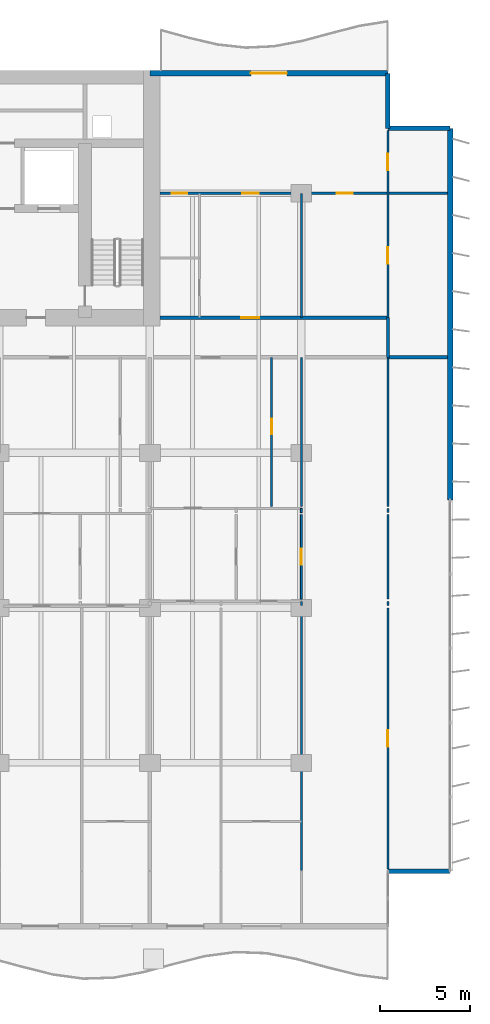
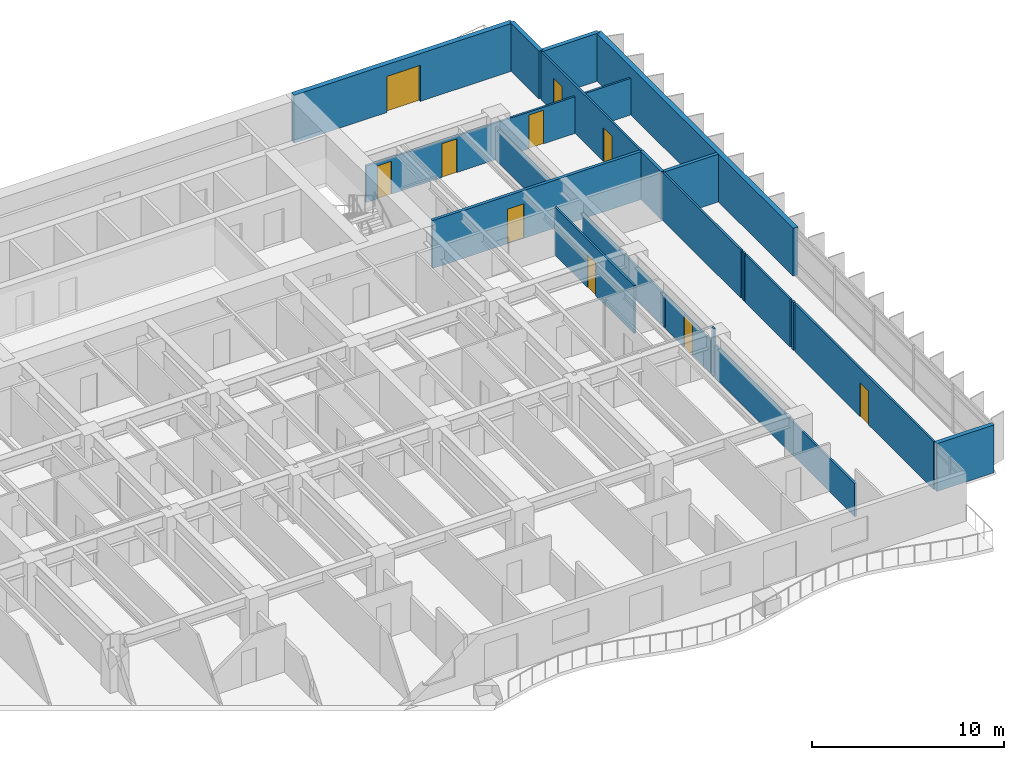
# One storey, part 13 of 18: 22 walls, 10 doors, 10 openings.
"""IFC4 building model written with IfcOpenShell, lengths in metres."""

import ifcopenshell
import ifcopenshell.guid

model = None  # the IFC model being written
_history = None  # IfcOwnerHistory: only IFC2X3 demands one
_inside = {}  # id of a spatial element -> (the spatial element, [elements in it])
_under = {}  # id of a project, library or spatial element -> (it, [spatial elements below it])
_declared = {}  # id of a project -> (the project, [libraries it declares])
_typed = {}  # id of a type object -> (the type object, [elements of that type])
_made_of = {}  # id of a material, layer set ... -> (it, [elements and type objects made of it])


def new_model(schema):
    """Start an empty IFC model of exactly this schema.

    Asked for "IFC4X3", IfcOpenShell would pick the latest addendum, in which some entities
    have other attributes; the version numbers below select the first issue.
    IFC2X3 requires an IfcOwnerHistory on every rooted entity: one is made here for all.
    """
    global model, _history
    if schema == "IFC4X3":
        model = ifcopenshell.file(schema_version=(4, 3, 0, 0))
    else:
        model = ifcopenshell.file(schema=schema)
    _inside.clear()
    _under.clear()
    _declared.clear()
    _typed.clear()
    _made_of.clear()
    _history = None
    if model.schema == "IFC2X3":
        org = make("IfcOrganization", Name="unknown")
        user = make(
            "IfcPersonAndOrganization",
            ThePerson=make("IfcPerson", FamilyName="unknown"),
            TheOrganization=org,
        )
        app = make(
            "IfcApplication",
            ApplicationDeveloper=org,
            Version="unknown",
            ApplicationFullName="unknown",
            ApplicationIdentifier="unknown",
        )
        _history = make(
            "IfcOwnerHistory",
            OwningUser=user,
            OwningApplication=app,
            ChangeAction="ADDED",
            CreationDate=0,
        )
    return model


def make(cls, **values):
    """One entity of the class cls with the attributes given. An attribute that is None is left unset."""
    return model.create_entity(
        cls, **{name: value for name, value in values.items() if value is not None}
    )


def rooted(cls, **values):
    """An entity with a GlobalId (a new one), such as an element, a storey or a relation."""
    return make(cls, GlobalId=ifcopenshell.guid.new(), OwnerHistory=_history, **values)


def si_unit(unit_type, name, prefix=None):
    """IfcSIUnit, for example si_unit("LENGTHUNIT", "METRE", prefix="MILLI")."""
    return make("IfcSIUnit", UnitType=unit_type, Prefix=prefix, Name=name)


def assignment(units):
    """IfcUnitAssignment: the units of a project."""
    return None if units is None else make("IfcUnitAssignment", Units=units)


def point(xyz):
    """IfcCartesianPoint."""
    return None if xyz is None else make("IfcCartesianPoint", Coordinates=xyz)


def direction(xyz):
    """IfcDirection."""
    return None if xyz is None else make("IfcDirection", DirectionRatios=xyz)


def frame(location, z_axis=None, x_axis=None):
    """IfcAxis2Placement3D, a coordinate frame: its origin and axes. An axis left out is left unset."""
    return make(
        "IfcAxis2Placement3D",
        Location=point(location),
        Axis=direction(z_axis),
        RefDirection=direction(x_axis),
    )


def frame_2d(location, x_axis=None):
    """IfcAxis2Placement2D, a coordinate frame in the plane: its origin and x axis."""
    return make(
        "IfcAxis2Placement2D", Location=point(location), RefDirection=direction(x_axis)
    )


def origin():
    """The frame at (0, 0, 0) with its axes left unset."""
    return frame((0.0, 0.0, 0.0))


def place(relative_to, where):
    """IfcLocalPlacement: puts the frame where relative to a parent placement (None: the world)."""
    return make(
        "IfcLocalPlacement", PlacementRelTo=relative_to, RelativePlacement=where
    )


def context(
    kind, dimensions, precision=None, world=None, true_north=None, identifier=None
):
    """IfcGeometricRepresentationContext, for example the 3D "Model" context."""
    return make(
        "IfcGeometricRepresentationContext",
        ContextIdentifier=identifier,
        ContextType=kind,
        CoordinateSpaceDimension=dimensions,
        Precision=precision,
        WorldCoordinateSystem=world,
        TrueNorth=true_north,
    )


def subcontext(parent, identifier, kind, view, scale=None):
    """IfcGeometricRepresentationSubContext, for example "Body" below "Model"."""
    return make(
        "IfcGeometricRepresentationSubContext",
        ContextIdentifier=identifier,
        ContextType=kind,
        ParentContext=parent,
        TargetScale=scale,
        TargetView=view,
    )


def project(units=None, contexts=None):
    """IfcProject with its units and contexts."""
    return rooted(
        "IfcProject",
        Name="project",
        RepresentationContexts=contexts,
        UnitsInContext=assignment(units),
    )


def spatial(cls, under=None, at=None, **own):
    """A site, building, storey or space (cls), placed at a placement, below another one or the project."""
    s = rooted(cls, ObjectPlacement=at, **own)
    if under is not None:
        _under.setdefault(under.id(), (under, []))[1].append(s)
    return s


def profile(cls, at=None, kind="AREA", **sizes):
    """A parametric profile (cls). Its sizes go by their IFC names, for example OverallWidth=200.0."""
    return make(cls, ProfileType=kind, Position=at, **sizes)


def rectangle(**sizes):
    """IfcRectangleProfileDef."""
    return profile("IfcRectangleProfileDef", **sizes)


def extrude(swept, where, along, depth):
    """IfcExtrudedAreaSolid: the profile swept, set in the frame where, extruded along a direction by depth."""
    return make(
        "IfcExtrudedAreaSolid",
        SweptArea=swept,
        Position=where,
        ExtrudedDirection=direction(along),
        Depth=depth,
    )


def shape(context_of_items, identifier, shape_type, items):
    """IfcShapeRepresentation: the items that make up one representation, for example the "Body"."""
    return make(
        "IfcShapeRepresentation",
        ContextOfItems=context_of_items,
        RepresentationIdentifier=identifier,
        RepresentationType=shape_type,
        Items=items,
    )


def material(Name=None, Category=None):
    """IfcMaterial."""
    return make("IfcMaterial", Name=Name, Category=Category)


def layer(
    of_material, thickness, ventilated=None, Name=None, Category=None, Priority=None
):
    """IfcMaterialLayer: one layer of a wall or slab, of a material (None: an air gap)."""
    return make(
        "IfcMaterialLayer",
        Material=of_material,
        LayerThickness=thickness,
        IsVentilated=ventilated,
        Name=Name,
        Category=Category,
        Priority=Priority,
    )


def layer_set(layers, Name=None):
    """IfcMaterialLayerSet."""
    return make("IfcMaterialLayerSet", MaterialLayers=layers, LayerSetName=Name)


def made_of(thing, what):
    """Note that an element or type object is made of a material, layer set ...; save() writes the relation."""
    if what is not None:
        _made_of.setdefault(what.id(), (what, []))[1].append(thing)
    return thing


def type_object(cls, material=None, **own):
    """A type object (cls), such as IfcWallType, which elements share."""
    return made_of(rooted(cls, **own), material)


def element(
    cls,
    number,
    at=None,
    inside=None,
    cuts=None,
    type_object=None,
    material=None,
    context=None,
    identifier="Body",
    shape_type=None,
    held_by="IfcProductDefinitionShape",
    body=None,
    shapes=None,
    **own,
):
    """One element of the class cls, such as IfcWall. Its Tag is "e" and its number.

    at: its placement. inside: the storey or other place that contains it. cuts: it is an
    opening in that element (IfcRelVoidsElement). A single representation is given by context,
    identifier, shape_type and body (its items); several are given by shapes. held_by: the class
    of the entity that holds the representations. save() writes the other relations.
    """
    e = rooted(cls, Tag="e%d" % number, ObjectPlacement=at, **own)
    if body is not None:
        shapes = [shape(context, identifier, shape_type, body)]
    if shapes is not None:
        e.Representation = make(held_by, Representations=shapes)
    if inside is not None:
        _inside.setdefault(inside.id(), (inside, []))[1].append(e)
    if cuts is not None:
        rooted(
            "IfcRelVoidsElement", RelatingBuildingElement=cuts, RelatedOpeningElement=e
        )
    if type_object is not None:
        _typed.setdefault(type_object.id(), (type_object, []))[1].append(e)
    return made_of(e, material)


def fill(opening, filler):
    """IfcRelFillsElement: the door or window that sits in an opening."""
    return rooted(
        "IfcRelFillsElement",
        RelatingOpeningElement=opening,
        RelatedBuildingElement=filler,
    )


def aggregate(whole, parts):
    """IfcRelAggregates: a whole, such as a stair, and the parts it consists of."""
    return rooted("IfcRelAggregates", RelatingObject=whole, RelatedObjects=parts)


def save(model, path):
    """Write the relations noted so far, then the file.

    IfcRelAggregates (storeys below a building ...), IfcRelContainedInSpatialStructure (elements
    in a storey), IfcRelDefinesByType, IfcRelAssociatesMaterial and IfcRelDeclares: one each for
    every whole, place, type object, material and project.
    """
    for whole, parts in _under.values():
        aggregate(whole, parts)
    for where, things in _inside.values():
        rooted(
            "IfcRelContainedInSpatialStructure",
            RelatedElements=things,
            RelatingStructure=where,
        )
    for kind, things in _typed.values():
        rooted("IfcRelDefinesByType", RelatedObjects=things, RelatingType=kind)
    for what, things in _made_of.values():
        rooted("IfcRelAssociatesMaterial", RelatedObjects=things, RelatingMaterial=what)
    for by, libraries in _declared.values():
        rooted("IfcRelDeclares", RelatingContext=by, RelatedDefinitions=libraries)
    model.write(path)


model = new_model("IFC4")

# Units and contexts
model_context = context("Model", 3, precision=1e-05, world=origin(), true_north=direction((0.0, 1.0)))
body_context = subcontext(model_context, "Body", "Model", "MODEL_VIEW")
ifc_project = project(units=[si_unit("LENGTHUNIT", "METRE"), si_unit("AREAUNIT", "SQUARE_METRE"), si_unit("VOLUMEUNIT", "CUBIC_METRE"), si_unit("PLANEANGLEUNIT", "RADIAN"), si_unit("MASSUNIT", "GRAM", prefix="KILO")], contexts=[model_context])

# Site, building, storey
site_placement = place(None, origin())
site = spatial("IfcSite", under=ifc_project, at=site_placement, CompositionType="ELEMENT")
building_placement = place(site_placement, origin())
building = spatial("IfcBuilding", under=site, at=building_placement, Name="Caelmar Bay Residences", CompositionType="ELEMENT")
storey_placement = place(building_placement, frame((0.0, 0.0, 69.60009765625)))
storey = spatial("IfcBuildingStorey", under=building, at=storey_placement, Name="L18", CompositionType="ELEMENT", Elevation=69.60009765625)

# Wall
ifc_material_1 = material(Name="Double-stud acoustic fire-rated gypsum partition 180 mm")
ifc_layer_1 = layer(ifc_material_1, 0.179931640625)
ifc_layer_set_1 = layer_set([ifc_layer_1], Name="Double-stud acoustic fire-rated gypsum partition 180 mm")
wall_type_1 = type_object("IfcWallType", Name="W-COR-200", PredefinedType="PARTITIONING", material=ifc_layer_set_1)
wall_1_placement = place(storey_placement, frame((72.699951171875, 34.705078125, 0.0), z_axis=(0.0, 0.0, 1.0), x_axis=(0.0, 1.0, 0.0)))
element("IfcWall", 1, at=wall_1_placement, inside=storey, type_object=wall_type_1, Name="L18 Partition Wall V115", PredefinedType="PARTITIONING", context=body_context, shape_type="SweptSolid", body=[
    extrude(rectangle(XDim=2.19482421875, YDim=0.179931640625, at=frame_2d((1.097412109375, 0.0))), origin(), (0.0, 0.0, 1.0), 3.0498046875),
])

# Wall, opening, door
wall_2_placement = place(storey_placement, frame((60.054931640625, 36.89990234375, 0.0), z_axis=(0.0, 0.0, 1.0), x_axis=(1.0, 0.0, 0.0)))
wall_2 = element("IfcWall", 2, at=wall_2_placement, inside=storey, type_object=wall_type_1, Name="L18 Partition Wall H142", PredefinedType="PARTITIONING", context=body_context, shape_type="SweptSolid", body=[
    extrude(rectangle(XDim=12.64501953125, YDim=0.179931640625, at=frame_2d((6.322509765625, 0.0))), origin(), (0.0, 0.0, 1.0), 3.0498046875),
])
opening_1_placement = place(wall_2_placement, frame((4.52001953125, 0.0, 0.0)))
opening_1 = element("IfcOpeningElement", 3, at=opening_1_placement, cuts=wall_2, Name="Opening D-L18-180", PredefinedType="OPENING", context=body_context, shape_type="SweptSolid", body=[
    extrude(rectangle(XDim=1.0, YDim=2.199951171875, at=frame_2d((0.5, 1.10009765625))), frame((0.0, 0.099853515625, 0.0), z_axis=(0.0, -1.0, 0.0), x_axis=(1.0, 0.0, 0.0)), (0.0, 0.0, 1.0), 0.199951171875),
])
ifc_material_2 = material(Name="Fire-rated steel and walnut architectural door assembly", Category="steel")
ifc_layer_2 = layer(ifc_material_2, 0.050048828125)
ifc_layer_set_2 = layer_set([ifc_layer_2], Name="Fire-rated steel and walnut architectural door assembly")
door_type_1 = type_object("IfcDoorType", Name="D-UNIT-1000", OperationType="NOTDEFINED", PredefinedType="DOOR", material=ifc_layer_set_2)
door_1_placement = place(opening_1_placement, origin())
door_1 = element("IfcDoor", 4, at=door_1_placement, inside=storey, type_object=door_type_1, Name="L18 Residence EA Kitchen Door", OperationType="SINGLE_SWING_LEFT", OverallHeight=2.199951171875, OverallWidth=1.0, PredefinedType="DOOR", context=body_context, shape_type="SweptSolid", body=[
    extrude(rectangle(XDim=1.0, YDim=2.199951171875, at=frame_2d((0.5, 1.10009765625))), frame((0.0, 0.02490234375, 0.0), z_axis=(0.0, -1.0, 0.0), x_axis=(1.0, 0.0, 0.0)), (0.0, 0.0, 1.0), 0.050048828125),
])
fill(opening_1, door_1)

# Walls
ifc_material_3 = material(Name="Precast concrete f'c 40 MPa (6,000 psi)", Category="concrete")
ifc_layer_3 = layer(ifc_material_3, 0.25)
ifc_layer_set_3 = layer_set([ifc_layer_3], Name="Precast concrete f'c 40 MPa (6,000 psi)")
wall_type_2 = type_object("IfcWallType", Name="W-EXT-250", PredefinedType="ELEMENTEDWALL", material=ifc_layer_set_3)
wall_3_placement = place(storey_placement, frame((72.699951171875, 6.199951171875, 0.0), z_axis=(0.0, 0.0, 1.0), x_axis=(1.0, 0.0, 0.0)))
element("IfcWall", 5, at=wall_3_placement, inside=storey, type_object=wall_type_2, Name="L18 SE Notch Return Wall", PredefinedType="ELEMENTEDWALL", context=body_context, shape_type="SweptSolid", body=[
    extrude(rectangle(XDim=3.449951171875, YDim=0.25, at=frame_2d((1.72509765625, 0.0))), origin(), (0.0, 0.0, 1.0), 3.0498046875),
])
wall_4_placement = place(storey_placement, frame((72.699951171875, 50.449951171875, 0.0), z_axis=(0.0, 0.0, 1.0), x_axis=(0.0, -1.0, 0.0)))
element("IfcWall", 6, at=wall_4_placement, inside=storey, type_object=wall_type_2, Name="L18 NNE-V Notch Wall", PredefinedType="ELEMENTEDWALL", context=body_context, shape_type="SweptSolid", body=[
    extrude(rectangle(XDim=3.050048828125, YDim=0.25, at=frame_2d((1.52490234375, 0.0))), origin(), (0.0, 0.0, 1.0), 3.0498046875),
])
wall_5_placement = place(storey_placement, frame((72.699951171875, 47.39990234375, 0.0), z_axis=(0.0, 0.0, 1.0), x_axis=(1.0, 0.0, 0.0)))
element("IfcWall", 7, at=wall_5_placement, inside=storey, type_object=wall_type_2, Name="L18 NNE-H Notch Wall", PredefinedType="ELEMENTEDWALL", context=body_context, shape_type="SweptSolid", body=[
    extrude(rectangle(XDim=3.449951171875, YDim=0.25, at=frame_2d((1.72509765625, 0.0))), origin(), (0.0, 0.0, 1.0), 3.0498046875),
])
ifc_layer_4 = layer(ifc_material_3, 0.300048828125)
ifc_layer_set_4 = layer_set([ifc_layer_4], Name="Precast concrete f'c 40 MPa (6,000 psi)")
wall_type_3 = type_object("IfcWallType", Name="W-EXT-300", PredefinedType="STANDARD", material=ifc_layer_set_4)
wall_6_placement = place(storey_placement, frame((76.14990234375, 47.39990234375, 0.0), z_axis=(0.0, 0.0, 1.0), x_axis=(0.0, -1.0, 0.0)))
element("IfcWall", 8, at=wall_6_placement, inside=storey, type_object=wall_type_3, Name="L18 East Rear Exterior Wall", PredefinedType="STANDARD", context=body_context, shape_type="SweptSolid", body=[
    extrude(rectangle(XDim=20.599853515625, YDim=0.300048828125, at=frame_2d((10.2998046875, 0.0))), origin(), (0.0, 0.0, 1.0), 3.0498046875),
])

# Wall, opening, door
wall_7_placement = place(storey_placement, frame((59.5, 50.449951171875, 0.0), z_axis=(0.0, 0.0, 1.0), x_axis=(1.0, 0.0, 0.0)))
wall_7 = element("IfcWall", 9, at=wall_7_placement, inside=storey, type_object=wall_type_3, Name="L18 North-East Wing Exterior Wall", PredefinedType="STANDARD", context=body_context, shape_type="SweptSolid", body=[
    extrude(rectangle(XDim=13.199951171875, YDim=0.300048828125, at=frame_2d((6.60009765625, 0.0))), origin(), (0.0, 0.0, 1.0), 3.0498046875),
])
opening_2_placement = place(wall_7_placement, frame((5.60009765625, 0.0, 0.0)))
opening_2 = element("IfcOpeningElement", 10, at=opening_2_placement, cuts=wall_7, Name="Opening L18-BDNE", PredefinedType="OPENING", context=body_context, shape_type="SweptSolid", body=[
    extrude(rectangle(XDim=2.0, YDim=2.300048828125, at=frame_2d((1.0, 1.14990234375))), frame((0.0, 0.159912109375, 0.0), z_axis=(0.0, -1.0, 0.0), x_axis=(1.0, 0.0, 0.0)), (0.0, 0.0, 1.0), 0.320068359375),
])
ifc_material_4 = material(Name="Anodised bronze thermally broken sliding glass door", Category="glass")
ifc_layer_5 = layer(ifc_material_4, 0.050048828125)
ifc_layer_set_5 = layer_set([ifc_layer_5], Name="Anodised bronze thermally broken sliding glass door")
door_type_2 = type_object("IfcDoorType", Name="D-BAL-2000", OperationType="DOUBLE_DOOR_SLIDING", PredefinedType="DOOR", material=ifc_layer_set_5)
door_2_placement = place(opening_2_placement, origin())
door_2 = element("IfcDoor", 11, at=door_2_placement, inside=storey, type_object=door_type_2, Name="L18 North-East Balcony Door", OperationType="DOUBLE_DOOR_SLIDING", OverallHeight=2.300048828125, OverallWidth=2.0, PredefinedType="DOOR", context=body_context, shape_type="SweptSolid", body=[
    extrude(rectangle(XDim=2.0, YDim=2.300048828125, at=frame_2d((1.0, 1.14990234375))), frame((0.0, 0.02490234375, 0.0), z_axis=(0.0, -1.0, 0.0), x_axis=(1.0, 0.0, 0.0)), (0.0, 0.0, 1.0), 0.050048828125),
])
fill(opening_2, door_2)

ifc_material_5 = material(Name="Anodised bronze framed acoustic sliding study partition 100 mm")
ifc_layer_6 = layer(ifc_material_5, 0.10009765625)
ifc_layer_set_6 = layer_set([ifc_layer_6], Name="Anodised bronze framed acoustic sliding study partition 100 mm")
wall_type_4 = type_object("IfcWallType", Name="W-MOV-100", PredefinedType="MOVABLE", material=ifc_layer_set_6)
wall_8_placement = place(storey_placement, frame((67.89990234375, 21.2900390625, 0.0), z_axis=(0.0, 0.0, 1.0), x_axis=(0.0, 1.0, 0.0)))
wall_8 = element("IfcWall", 12, at=wall_8_placement, inside=storey, type_object=wall_type_4, Name="L18 Partition Wall V106", PredefinedType="MOVABLE", context=body_context, shape_type="SweptSolid", body=[
    extrude(rectangle(XDim=4.68994140625, YDim=0.10009765625, at=frame_2d((2.344970703125, 0.0))), origin(), (0.0, 0.0, 1.0), 2.10986328125),
])
opening_3_placement = place(wall_8_placement, frame((1.89501953125, 0.0, 0.0)))
opening_3 = element("IfcOpeningElement", 13, at=opening_3_placement, cuts=wall_8, Name="Opening D-L18-169", PredefinedType="OPENING", context=body_context, shape_type="SweptSolid", body=[
    extrude(rectangle(XDim=0.89990234375, YDim=2.06005859375, at=frame_2d((0.449951171875, 1.030029296875))), frame((0.0, 0.06005859375, 0.0), z_axis=(0.0, -1.0, 0.0), x_axis=(1.0, 0.0, 0.0)), (0.0, 0.0, 1.0), 0.1201171875),
])
ifc_material_6 = material(Name="Solid walnut timber interior door leaf and frame", Category="wood")
ifc_layer_7 = layer(ifc_material_6, 0.050048828125)
ifc_layer_set_7 = layer_set([ifc_layer_7], Name="Solid walnut timber interior door leaf and frame")
door_type_3 = type_object("IfcDoorType", Name="D-ROOM-900", OperationType="NOTDEFINED", PredefinedType="DOOR", material=ifc_layer_set_7)
door_3_placement = place(opening_3_placement, origin())
door_3 = element("IfcDoor", 14, at=door_3_placement, inside=storey, type_object=door_type_3, Name="L18 Residence 07 East Apartment Hall Door", OperationType="SINGLE_SWING_RIGHT", OverallHeight=2.06005859375, OverallWidth=0.89990234375, PredefinedType="DOOR", context=body_context, shape_type="SweptSolid", body=[
    extrude(rectangle(XDim=0.89990234375, YDim=2.06005859375, at=frame_2d((0.449951171875, 1.030029296875))), frame((0.0, 0.02490234375, 0.0), z_axis=(0.0, -1.0, 0.0), x_axis=(1.0, 0.0, 0.0)), (0.0, 0.0, 1.0), 0.050048828125),
])
fill(opening_3, door_3)

# Wall
wall_9_placement = place(storey_placement, frame((67.89990234375, 26.080078125, 0.0), z_axis=(0.0, 0.0, 1.0), x_axis=(0.0, 1.0, 0.0)))
element("IfcWall", 15, at=wall_9_placement, inside=storey, type_object=wall_type_4, Name="L18 Partition Wall V107", PredefinedType="MOVABLE", context=body_context, shape_type="SweptSolid", body=[
    extrude(rectangle(XDim=0.239990234375, YDim=0.10009765625, at=frame_2d((0.1201171875, 0.0))), origin(), (0.0, 0.0, 1.0), 2.10986328125),
])

# Wall, opening, door
ifc_material_7 = material(Name="Acoustic metal-stud gypsum partition 120 mm")
ifc_layer_8 = layer(ifc_material_7, 0.1201171875)
ifc_layer_set_8 = layer_set([ifc_layer_8], Name="Acoustic metal-stud gypsum partition 120 mm")
wall_type_5 = type_object("IfcWallType", Name="W-PRT-120", PredefinedType="PARTITIONING", material=ifc_layer_set_8)
wall_10_placement = place(storey_placement, frame((66.25, 26.43994140625, 0.0), z_axis=(0.0, 0.0, 1.0), x_axis=(0.0, 1.0, 0.0)))
wall_10 = element("IfcWall", 16, at=wall_10_placement, inside=storey, type_object=wall_type_5, Name="L18 Partition Wall V102", PredefinedType="PARTITIONING", context=body_context, shape_type="SweptSolid", body=[
    extrude(rectangle(XDim=8.260009765625, YDim=0.1201171875, at=frame_2d((4.1298828125, 0.0))), origin(), (0.0, 0.0, 1.0), 3.0498046875),
])
opening_4_placement = place(wall_10_placement, frame((4.0048828125, 0.0, 0.0)))
opening_4 = element("IfcOpeningElement", 17, at=opening_4_placement, cuts=wall_10, Name="Opening D-L18-163", PredefinedType="OPENING", context=body_context, shape_type="SweptSolid", body=[
    extrude(rectangle(XDim=0.85009765625, YDim=2.10009765625, at=frame_2d((0.425048828125, 1.050048828125))), frame((0.0, 0.070068359375, 0.0), z_axis=(0.0, -1.0, 0.0), x_axis=(1.0, 0.0, 0.0)), (0.0, 0.0, 1.0), 0.14013671875),
])
ifc_layer_9 = layer(ifc_material_6, 0.050048828125)
ifc_layer_set_9 = layer_set([ifc_layer_9], Name="Solid walnut timber interior door leaf and frame")
door_type_4 = type_object("IfcDoorType", Name="D-BATH-850", OperationType="NOTDEFINED", PredefinedType="DOOR", material=ifc_layer_set_9)
door_4_placement = place(opening_4_placement, origin())
door_4 = element("IfcDoor", 18, at=door_4_placement, inside=storey, type_object=door_type_4, Name="L18 Residence 07 Bathroom Door", OperationType="SINGLE_SWING_RIGHT", OverallHeight=2.10009765625, OverallWidth=0.85009765625, PredefinedType="DOOR", context=body_context, shape_type="SweptSolid", body=[
    extrude(rectangle(XDim=0.85009765625, YDim=2.10009765625, at=frame_2d((0.425048828125, 1.050048828125))), frame((0.0, 0.02490234375, 0.0), z_axis=(0.0, -1.0, 0.0), x_axis=(1.0, 0.0, 0.0)), (0.0, 0.0, 1.0), 0.050048828125),
])
fill(opening_4, door_4)

# Walls
wall_11_placement = place(storey_placement, frame((67.89990234375, 6.239990234375, 0.0), z_axis=(0.0, 0.0, 1.0), x_axis=(0.0, 1.0, 0.0)))
element("IfcWall", 19, at=wall_11_placement, inside=storey, type_object=wall_type_5, Name="L18 Partition Wall V104", PredefinedType="PARTITIONING", context=body_context, shape_type="SweptSolid", body=[
    extrude(rectangle(XDim=14.56005859375, YDim=0.1201171875, at=frame_2d((7.280029296875, 0.0))), origin(), (0.0, 0.0, 1.0), 2.10986328125),
])
wall_12_placement = place(storey_placement, frame((67.89990234375, 20.929931640625, 0.0), z_axis=(0.0, 0.0, 1.0), x_axis=(0.0, 1.0, 0.0)))
element("IfcWall", 20, at=wall_12_placement, inside=storey, type_object=wall_type_5, Name="L18 Partition Wall V105", PredefinedType="PARTITIONING", context=body_context, shape_type="SweptSolid", body=[
    extrude(rectangle(XDim=0.239990234375, YDim=0.1201171875, at=frame_2d((0.1201171875, 0.0))), origin(), (0.0, 0.0, 1.0), 3.0498046875),
])
wall_13_placement = place(storey_placement, frame((67.89990234375, 26.43994140625, 0.0), z_axis=(0.0, 0.0, 1.0), x_axis=(0.0, 1.0, 0.0)))
element("IfcWall", 21, at=wall_13_placement, inside=storey, type_object=wall_type_5, Name="L18 Partition Wall V108", PredefinedType="PARTITIONING", context=body_context, shape_type="SweptSolid", body=[
    extrude(rectangle(XDim=8.260009765625, YDim=0.1201171875, at=frame_2d((4.1298828125, 0.0))), origin(), (0.0, 0.0, 1.0), 2.10986328125),
])
wall_14_placement = place(storey_placement, frame((67.89990234375, 36.89990234375, 0.0), z_axis=(0.0, 0.0, 1.0), x_axis=(0.0, 1.0, 0.0)))
element("IfcWall", 22, at=wall_14_placement, inside=storey, type_object=wall_type_5, Name="L18 Partition Wall V109", PredefinedType="PARTITIONING", context=body_context, shape_type="SweptSolid", body=[
    extrude(rectangle(XDim=6.900146484375, YDim=0.1201171875, at=frame_2d((3.4501953125, 0.0))), origin(), (0.0, 0.0, 1.0), 2.10986328125),
])

# Wall, opening, door
wall_15_placement = place(storey_placement, frame((72.699951171875, 6.320068359375, 0.0), z_axis=(0.0, 0.0, 1.0), x_axis=(0.0, 1.0, 0.0)))
wall_15 = element("IfcWall", 23, at=wall_15_placement, inside=storey, type_object=wall_type_5, Name="L18 Partition Wall V110", PredefinedType="PARTITIONING", context=body_context, shape_type="SweptSolid", body=[
    extrude(rectangle(XDim=14.47998046875, YDim=0.1201171875, at=frame_2d((7.239990234375, 0.0))), origin(), (0.0, 0.0, 1.0), 3.0498046875),
])
opening_5_placement = place(wall_15_placement, frame((6.7900390625, 0.0, 0.0)))
opening_5 = element("IfcOpeningElement", 24, at=opening_5_placement, cuts=wall_15, Name="Opening D-L18-171", PredefinedType="OPENING", context=body_context, shape_type="SweptSolid", body=[
    extrude(rectangle(XDim=0.89990234375, YDim=2.14990234375, at=frame_2d((0.449951171875, 1.074951171875))), frame((0.0, 0.070068359375, 0.0), z_axis=(0.0, -1.0, 0.0), x_axis=(1.0, 0.0, 0.0)), (0.0, 0.0, 1.0), 0.14013671875),
])
door_5_placement = place(opening_5_placement, origin())
door_5 = element("IfcDoor", 25, at=door_5_placement, inside=storey, type_object=door_type_3, Name="L18 Residence 07 Penthouse East Salon Door", OperationType="SINGLE_SWING_RIGHT", OverallHeight=2.14990234375, OverallWidth=0.89990234375, PredefinedType="DOOR", context=body_context, shape_type="SweptSolid", body=[
    extrude(rectangle(XDim=0.89990234375, YDim=2.14990234375, at=frame_2d((0.449951171875, 1.074951171875))), frame((0.0, 0.02490234375, 0.0), z_axis=(0.0, -1.0, 0.0), x_axis=(1.0, 0.0, 0.0)), (0.0, 0.0, 1.0), 0.050048828125),
])
fill(opening_5, door_5)

# Walls
wall_16_placement = place(storey_placement, frame((72.699951171875, 20.929931640625, 0.0), z_axis=(0.0, 0.0, 1.0), x_axis=(0.0, 1.0, 0.0)))
element("IfcWall", 26, at=wall_16_placement, inside=storey, type_object=wall_type_5, Name="L18 Partition Wall V111", PredefinedType="PARTITIONING", context=body_context, shape_type="SweptSolid", body=[
    extrude(rectangle(XDim=0.239990234375, YDim=0.1201171875, at=frame_2d((0.1201171875, 0.0))), origin(), (0.0, 0.0, 1.0), 3.0498046875),
])
wall_17_placement = place(storey_placement, frame((72.699951171875, 21.2900390625, 0.0), z_axis=(0.0, 0.0, 1.0), x_axis=(0.0, 1.0, 0.0)))
element("IfcWall", 27, at=wall_17_placement, inside=storey, type_object=wall_type_5, Name="L18 Partition Wall V112", PredefinedType="PARTITIONING", context=body_context, shape_type="SweptSolid", body=[
    extrude(rectangle(XDim=4.68994140625, YDim=0.1201171875, at=frame_2d((2.344970703125, 0.0))), origin(), (0.0, 0.0, 1.0), 3.0498046875),
])
wall_18_placement = place(storey_placement, frame((72.699951171875, 26.080078125, 0.0), z_axis=(0.0, 0.0, 1.0), x_axis=(0.0, 1.0, 0.0)))
element("IfcWall", 28, at=wall_18_placement, inside=storey, type_object=wall_type_5, Name="L18 Partition Wall V113", PredefinedType="PARTITIONING", context=body_context, shape_type="SweptSolid", body=[
    extrude(rectangle(XDim=0.239990234375, YDim=0.1201171875, at=frame_2d((0.1201171875, 0.0))), origin(), (0.0, 0.0, 1.0), 3.0498046875),
])
wall_19_placement = place(storey_placement, frame((72.699951171875, 26.43994140625, 0.0), z_axis=(0.0, 0.0, 1.0), x_axis=(0.0, 1.0, 0.0)))
element("IfcWall", 29, at=wall_19_placement, inside=storey, type_object=wall_type_5, Name="L18 Partition Wall V114", PredefinedType="PARTITIONING", context=body_context, shape_type="SweptSolid", body=[
    extrude(rectangle(XDim=8.260009765625, YDim=0.1201171875, at=frame_2d((4.1298828125, 0.0))), origin(), (0.0, 0.0, 1.0), 3.0498046875),
])

# Wall, openings, doors
wall_20_placement = place(storey_placement, frame((72.699951171875, 36.905029296875, 0.0), z_axis=(0.0, 0.0, 1.0), x_axis=(0.0, 1.0, 0.0)))
wall_20 = element("IfcWall", 30, at=wall_20_placement, inside=storey, type_object=wall_type_5, Name="L18 Partition Wall V116", PredefinedType="PARTITIONING", context=body_context, shape_type="SweptSolid", body=[
    extrude(rectangle(XDim=10.375, YDim=0.1201171875, at=frame_2d((5.1875, 0.0))), origin(), (0.0, 0.0, 1.0), 3.0498046875),
])
opening_6_placement = place(wall_20_placement, frame((2.99755859375, 0.0, 0.0)))
opening_6 = element("IfcOpeningElement", 31, at=opening_6_placement, cuts=wall_20, Name="Opening D-L18-184", PredefinedType="OPENING", context=body_context, shape_type="SweptSolid", body=[
    extrude(rectangle(XDim=0.89990234375, YDim=2.14990234375, at=frame_2d((0.449951171875, 1.074951171875))), frame((0.0, 0.070068359375, 0.0), z_axis=(0.0, -1.0, 0.0), x_axis=(1.0, 0.0, 0.0)), (0.0, 0.0, 1.0), 0.14013671875),
])
opening_7_placement = place(wall_20_placement, frame((8.18505859375, 0.0, 0.0)))
opening_7 = element("IfcOpeningElement", 32, at=opening_7_placement, cuts=wall_20, Name="Opening D-L18-185", PredefinedType="OPENING", context=body_context, shape_type="SweptSolid", body=[
    extrude(rectangle(XDim=0.89990234375, YDim=2.14990234375, at=frame_2d((0.449951171875, 1.074951171875))), frame((0.0, 0.070068359375, 0.0), z_axis=(0.0, -1.0, 0.0), x_axis=(1.0, 0.0, 0.0)), (0.0, 0.0, 1.0), 0.14013671875),
])
door_6_placement = place(opening_6_placement, origin())
door_6 = element("IfcDoor", 33, at=door_6_placement, inside=storey, type_object=door_type_3, Name="L18 Residence EA Sun Study Door", OperationType="SINGLE_SWING_LEFT", OverallHeight=2.14990234375, OverallWidth=0.89990234375, PredefinedType="DOOR", context=body_context, shape_type="SweptSolid", body=[
    extrude(rectangle(XDim=0.89990234375, YDim=2.14990234375, at=frame_2d((0.449951171875, 1.074951171875))), frame((0.0, 0.02490234375, 0.0), z_axis=(0.0, -1.0, 0.0), x_axis=(1.0, 0.0, 0.0)), (0.0, 0.0, 1.0), 0.050048828125),
])
fill(opening_6, door_6)
door_7_placement = place(opening_7_placement, origin())
door_7 = element("IfcDoor", 34, at=door_7_placement, inside=storey, type_object=door_type_3, Name="L18 Residence EA North Sitting Alcove Door", OperationType="SINGLE_SWING_RIGHT", OverallHeight=2.14990234375, OverallWidth=0.89990234375, PredefinedType="DOOR", context=body_context, shape_type="SweptSolid", body=[
    extrude(rectangle(XDim=0.89990234375, YDim=2.14990234375, at=frame_2d((0.449951171875, 1.074951171875))), frame((0.0, 0.02490234375, 0.0), z_axis=(0.0, -1.0, 0.0), x_axis=(1.0, 0.0, 0.0)), (0.0, 0.0, 1.0), 0.050048828125),
])
fill(opening_7, door_7)

wall_21_placement = place(storey_placement, frame((60.044921875, 43.800048828125, 0.0), z_axis=(0.0, 0.0, 1.0), x_axis=(1.0, 0.0, 0.0)))
wall_21 = element("IfcWall", 35, at=wall_21_placement, inside=storey, type_object=wall_type_5, Name="L18 Partition Wall H146", PredefinedType="PARTITIONING", context=body_context, shape_type="SweptSolid", body=[
    extrude(rectangle(XDim=15.9599609375, YDim=0.1201171875, at=frame_2d((7.97998046875, 0.0))), origin(), (0.0, 0.0, 1.0), 2.3388671875),
])
opening_8_placement = place(wall_21_placement, frame((9.804931640625, 0.0, 0.0)))
opening_8 = element("IfcOpeningElement", 36, at=opening_8_placement, cuts=wall_21, Name="Opening D-L18-179", PredefinedType="OPENING", context=body_context, shape_type="SweptSolid", body=[
    extrude(rectangle(XDim=0.89990234375, YDim=2.14990234375, at=frame_2d((0.449951171875, 1.074951171875))), frame((0.0, 0.070068359375, 0.0), z_axis=(0.0, -1.0, 0.0), x_axis=(1.0, 0.0, 0.0)), (0.0, 0.0, 1.0), 0.14013671875),
])
opening_9_placement = place(wall_21_placement, frame((4.580078125, 0.0, 0.0)))
opening_9 = element("IfcOpeningElement", 37, at=opening_9_placement, cuts=wall_21, Name="Opening D-L18-181", PredefinedType="OPENING", context=body_context, shape_type="SweptSolid", body=[
    extrude(rectangle(XDim=0.89990234375, YDim=2.14990234375, at=frame_2d((0.449951171875, 1.074951171875))), frame((0.0, 0.070068359375, 0.0), z_axis=(0.0, -1.0, 0.0), x_axis=(1.0, 0.0, 0.0)), (0.0, 0.0, 1.0), 0.14013671875),
])
opening_10_placement = place(wall_21_placement, frame((0.677490234375, 0.0, 0.0)))
opening_10 = element("IfcOpeningElement", 38, at=opening_10_placement, cuts=wall_21, Name="Opening D-L18-183", PredefinedType="OPENING", context=body_context, shape_type="SweptSolid", body=[
    extrude(rectangle(XDim=0.85009765625, YDim=2.10009765625, at=frame_2d((0.425048828125, 1.050048828125))), frame((0.0, 0.070068359375, 0.0), z_axis=(0.0, -1.0, 0.0), x_axis=(1.0, 0.0, 0.0)), (0.0, 0.0, 1.0), 0.14013671875),
])
door_8_placement = place(opening_10_placement, origin())
door_8 = element("IfcDoor", 39, at=door_8_placement, inside=storey, type_object=door_type_4, Name="L18 Residence EA Bathroom Door", OperationType="SINGLE_SWING_RIGHT", OverallHeight=2.10009765625, OverallWidth=0.85009765625, PredefinedType="DOOR", context=body_context, shape_type="SweptSolid", body=[
    extrude(rectangle(XDim=0.85009765625, YDim=2.10009765625, at=frame_2d((0.425048828125, 1.050048828125))), frame((0.0, 0.02490234375, 0.0), z_axis=(0.0, -1.0, 0.0), x_axis=(1.0, 0.0, 0.0)), (0.0, 0.0, 1.0), 0.050048828125),
])
fill(opening_10, door_8)
door_9_placement = place(opening_8_placement, origin())
door_9 = element("IfcDoor", 40, at=door_9_placement, inside=storey, type_object=door_type_3, Name="L18 Residence EA Study Door", OperationType="SINGLE_SWING_RIGHT", OverallHeight=2.14990234375, OverallWidth=0.89990234375, PredefinedType="DOOR", context=body_context, shape_type="SweptSolid", body=[
    extrude(rectangle(XDim=0.89990234375, YDim=2.14990234375, at=frame_2d((0.449951171875, 1.074951171875))), frame((0.0, 0.02490234375, 0.0), z_axis=(0.0, -1.0, 0.0), x_axis=(1.0, 0.0, 0.0)), (0.0, 0.0, 1.0), 0.050048828125),
])
fill(opening_8, door_9)
door_10_placement = place(opening_9_placement, origin())
door_10 = element("IfcDoor", 41, at=door_10_placement, inside=storey, type_object=door_type_3, Name="L18 Residence EA Studio Living and Sleeping Room Door", OperationType="SINGLE_SWING_RIGHT", OverallHeight=2.14990234375, OverallWidth=0.89990234375, PredefinedType="DOOR", context=body_context, shape_type="SweptSolid", body=[
    extrude(rectangle(XDim=0.89990234375, YDim=2.14990234375, at=frame_2d((0.449951171875, 1.074951171875))), frame((0.0, 0.02490234375, 0.0), z_axis=(0.0, -1.0, 0.0), x_axis=(1.0, 0.0, 0.0)), (0.0, 0.0, 1.0), 0.050048828125),
])
fill(opening_9, door_10)

# Wall
ifc_material_8 = material(Name="Acoustic twin-stud fire-rated inter-tenancy partition 200 mm")
ifc_layer_10 = layer(ifc_material_8, 0.199951171875)
ifc_layer_set_10 = layer_set([ifc_layer_10], Name="Acoustic twin-stud fire-rated inter-tenancy partition 200 mm")
wall_type_6 = type_object("IfcWallType", Name="W-PTY-200", PredefinedType="PARTITIONING", material=ifc_layer_set_10)
wall_22_placement = place(storey_placement, frame((72.705078125, 34.699951171875, 0.0), z_axis=(0.0, 0.0, 1.0), x_axis=(1.0, 0.0, 0.0)))
element("IfcWall", 42, at=wall_22_placement, inside=storey, type_object=wall_type_6, Name="L18 Partition Wall H140", PredefinedType="PARTITIONING", context=body_context, shape_type="SweptSolid", body=[
    extrude(rectangle(XDim=3.2998046875, YDim=0.199951171875, at=frame_2d((1.64990234375, 0.0))), origin(), (0.0, 0.0, 1.0), 3.0498046875),
])

save(model, "model.ifc")
